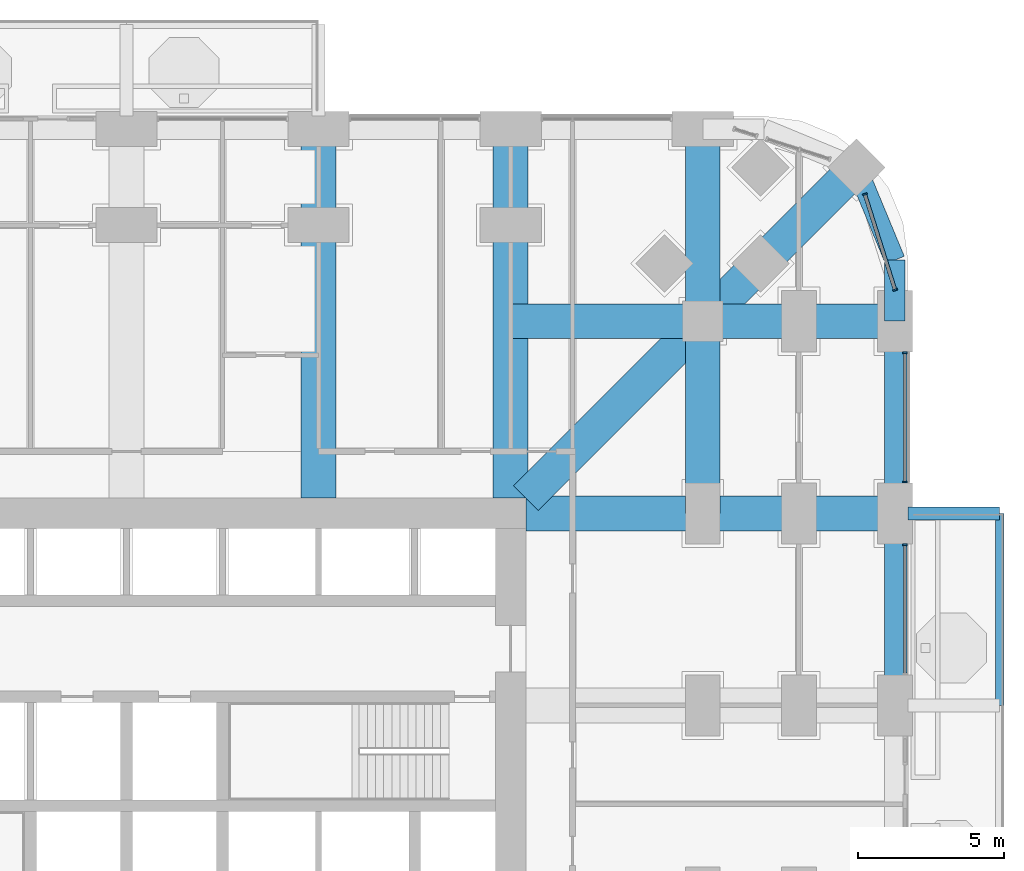
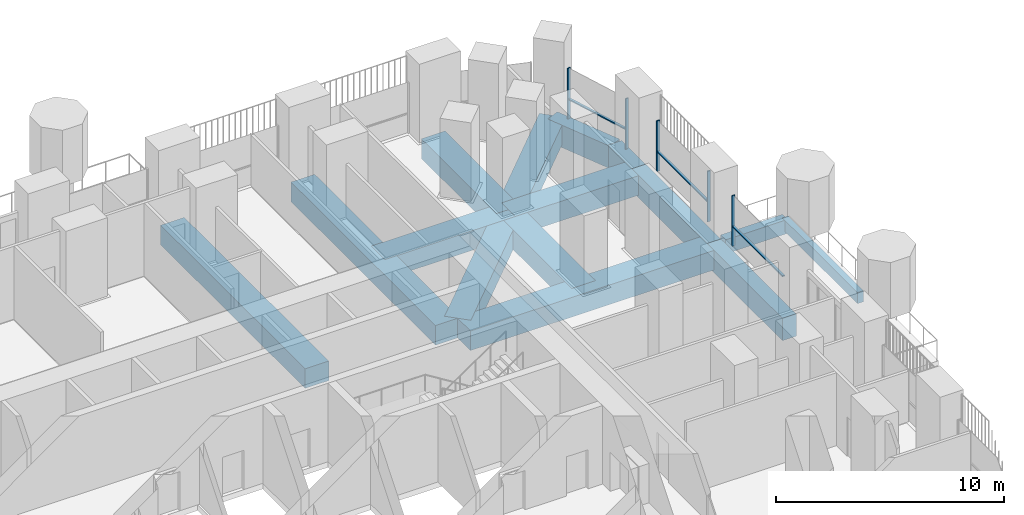
# One storey, part 8 of 26: 15 beams, 8 members, 3 elements without a shape of their own.
"""IFC4 building model written with IfcOpenShell, lengths in metres."""

import ifcopenshell
import ifcopenshell.guid

model = None  # the IFC model being written
_history = None  # IfcOwnerHistory: only IFC2X3 demands one
_inside = {}  # id of a spatial element -> (the spatial element, [elements in it])
_under = {}  # id of a project, library or spatial element -> (it, [spatial elements below it])
_declared = {}  # id of a project -> (the project, [libraries it declares])
_typed = {}  # id of a type object -> (the type object, [elements of that type])
_made_of = {}  # id of a material, layer set ... -> (it, [elements and type objects made of it])


def new_model(schema):
    """Start an empty IFC model of exactly this schema.

    Asked for "IFC4X3", IfcOpenShell would pick the latest addendum, in which some entities
    have other attributes; the version numbers below select the first issue.
    IFC2X3 requires an IfcOwnerHistory on every rooted entity: one is made here for all.
    """
    global model, _history
    if schema == "IFC4X3":
        model = ifcopenshell.file(schema_version=(4, 3, 0, 0))
    else:
        model = ifcopenshell.file(schema=schema)
    _inside.clear()
    _under.clear()
    _declared.clear()
    _typed.clear()
    _made_of.clear()
    _history = None
    if model.schema == "IFC2X3":
        org = make("IfcOrganization", Name="unknown")
        user = make(
            "IfcPersonAndOrganization",
            ThePerson=make("IfcPerson", FamilyName="unknown"),
            TheOrganization=org,
        )
        app = make(
            "IfcApplication",
            ApplicationDeveloper=org,
            Version="unknown",
            ApplicationFullName="unknown",
            ApplicationIdentifier="unknown",
        )
        _history = make(
            "IfcOwnerHistory",
            OwningUser=user,
            OwningApplication=app,
            ChangeAction="ADDED",
            CreationDate=0,
        )
    return model


def make(cls, **values):
    """One entity of the class cls with the attributes given. An attribute that is None is left unset."""
    return model.create_entity(
        cls, **{name: value for name, value in values.items() if value is not None}
    )


def rooted(cls, **values):
    """An entity with a GlobalId (a new one), such as an element, a storey or a relation."""
    return make(cls, GlobalId=ifcopenshell.guid.new(), OwnerHistory=_history, **values)


def si_unit(unit_type, name, prefix=None):
    """IfcSIUnit, for example si_unit("LENGTHUNIT", "METRE", prefix="MILLI")."""
    return make("IfcSIUnit", UnitType=unit_type, Prefix=prefix, Name=name)


def assignment(units):
    """IfcUnitAssignment: the units of a project."""
    return None if units is None else make("IfcUnitAssignment", Units=units)


def point(xyz):
    """IfcCartesianPoint."""
    return None if xyz is None else make("IfcCartesianPoint", Coordinates=xyz)


def direction(xyz):
    """IfcDirection."""
    return None if xyz is None else make("IfcDirection", DirectionRatios=xyz)


def frame(location, z_axis=None, x_axis=None):
    """IfcAxis2Placement3D, a coordinate frame: its origin and axes. An axis left out is left unset."""
    return make(
        "IfcAxis2Placement3D",
        Location=point(location),
        Axis=direction(z_axis),
        RefDirection=direction(x_axis),
    )


def frame_2d(location, x_axis=None):
    """IfcAxis2Placement2D, a coordinate frame in the plane: its origin and x axis."""
    return make(
        "IfcAxis2Placement2D", Location=point(location), RefDirection=direction(x_axis)
    )


def origin():
    """The frame at (0, 0, 0) with its axes left unset."""
    return frame((0.0, 0.0, 0.0))


def origin_2d():
    """The frame at (0, 0) in the plane with its x axis left unset."""
    return frame_2d((0.0, 0.0))


def place(relative_to, where):
    """IfcLocalPlacement: puts the frame where relative to a parent placement (None: the world)."""
    return make(
        "IfcLocalPlacement", PlacementRelTo=relative_to, RelativePlacement=where
    )


def context(
    kind, dimensions, precision=None, world=None, true_north=None, identifier=None
):
    """IfcGeometricRepresentationContext, for example the 3D "Model" context."""
    return make(
        "IfcGeometricRepresentationContext",
        ContextIdentifier=identifier,
        ContextType=kind,
        CoordinateSpaceDimension=dimensions,
        Precision=precision,
        WorldCoordinateSystem=world,
        TrueNorth=true_north,
    )


def subcontext(parent, identifier, kind, view, scale=None):
    """IfcGeometricRepresentationSubContext, for example "Body" below "Model"."""
    return make(
        "IfcGeometricRepresentationSubContext",
        ContextIdentifier=identifier,
        ContextType=kind,
        ParentContext=parent,
        TargetScale=scale,
        TargetView=view,
    )


def project(units=None, contexts=None):
    """IfcProject with its units and contexts."""
    return rooted(
        "IfcProject",
        Name="project",
        RepresentationContexts=contexts,
        UnitsInContext=assignment(units),
    )


def spatial(cls, under=None, at=None, **own):
    """A site, building, storey or space (cls), placed at a placement, below another one or the project."""
    s = rooted(cls, ObjectPlacement=at, **own)
    if under is not None:
        _under.setdefault(under.id(), (under, []))[1].append(s)
    return s


def profile(cls, at=None, kind="AREA", **sizes):
    """A parametric profile (cls). Its sizes go by their IFC names, for example OverallWidth=200.0."""
    return make(cls, ProfileType=kind, Position=at, **sizes)


def rectangle(**sizes):
    """IfcRectangleProfileDef."""
    return profile("IfcRectangleProfileDef", **sizes)


def extrude(swept, where, along, depth):
    """IfcExtrudedAreaSolid: the profile swept, set in the frame where, extruded along a direction by depth."""
    return make(
        "IfcExtrudedAreaSolid",
        SweptArea=swept,
        Position=where,
        ExtrudedDirection=direction(along),
        Depth=depth,
    )


def shape(context_of_items, identifier, shape_type, items):
    """IfcShapeRepresentation: the items that make up one representation, for example the "Body"."""
    return make(
        "IfcShapeRepresentation",
        ContextOfItems=context_of_items,
        RepresentationIdentifier=identifier,
        RepresentationType=shape_type,
        Items=items,
    )


def material(Name=None, Category=None):
    """IfcMaterial."""
    return make("IfcMaterial", Name=Name, Category=Category)


def material_profile(
    of_material, cross_section, Name=None, Category=None, Priority=None
):
    """IfcMaterialProfile: a cross section and its material."""
    return make(
        "IfcMaterialProfile",
        Name=Name,
        Material=of_material,
        Profile=cross_section,
        Priority=Priority,
        Category=Category,
    )


def profile_set(profiles, Name=None, composite=None):
    """IfcMaterialProfileSet."""
    return make(
        "IfcMaterialProfileSet",
        Name=Name,
        MaterialProfiles=profiles,
        CompositeProfile=composite,
    )


def made_of(thing, what):
    """Note that an element or type object is made of a material, layer set ...; save() writes the relation."""
    if what is not None:
        _made_of.setdefault(what.id(), (what, []))[1].append(thing)
    return thing


def type_object(cls, material=None, **own):
    """A type object (cls), such as IfcWallType, which elements share."""
    return made_of(rooted(cls, **own), material)


def element(
    cls,
    number,
    at=None,
    inside=None,
    cuts=None,
    type_object=None,
    material=None,
    context=None,
    identifier="Body",
    shape_type=None,
    held_by="IfcProductDefinitionShape",
    body=None,
    shapes=None,
    **own,
):
    """One element of the class cls, such as IfcWall. Its Tag is "e" and its number.

    at: its placement. inside: the storey or other place that contains it. cuts: it is an
    opening in that element (IfcRelVoidsElement). A single representation is given by context,
    identifier, shape_type and body (its items); several are given by shapes. held_by: the class
    of the entity that holds the representations. save() writes the other relations.
    """
    e = rooted(cls, Tag="e%d" % number, ObjectPlacement=at, **own)
    if body is not None:
        shapes = [shape(context, identifier, shape_type, body)]
    if shapes is not None:
        e.Representation = make(held_by, Representations=shapes)
    if inside is not None:
        _inside.setdefault(inside.id(), (inside, []))[1].append(e)
    if cuts is not None:
        rooted(
            "IfcRelVoidsElement", RelatingBuildingElement=cuts, RelatedOpeningElement=e
        )
    if type_object is not None:
        _typed.setdefault(type_object.id(), (type_object, []))[1].append(e)
    return made_of(e, material)


def aggregate(whole, parts):
    """IfcRelAggregates: a whole, such as a stair, and the parts it consists of."""
    return rooted("IfcRelAggregates", RelatingObject=whole, RelatedObjects=parts)


def save(model, path):
    """Write the relations noted so far, then the file.

    IfcRelAggregates (storeys below a building ...), IfcRelContainedInSpatialStructure (elements
    in a storey), IfcRelDefinesByType, IfcRelAssociatesMaterial and IfcRelDeclares: one each for
    every whole, place, type object, material and project.
    """
    for whole, parts in _under.values():
        aggregate(whole, parts)
    for where, things in _inside.values():
        rooted(
            "IfcRelContainedInSpatialStructure",
            RelatedElements=things,
            RelatingStructure=where,
        )
    for kind, things in _typed.values():
        rooted("IfcRelDefinesByType", RelatedObjects=things, RelatingType=kind)
    for what, things in _made_of.values():
        rooted("IfcRelAssociatesMaterial", RelatedObjects=things, RelatingMaterial=what)
    for by, libraries in _declared.values():
        rooted("IfcRelDeclares", RelatingContext=by, RelatedDefinitions=libraries)
    model.write(path)


model = new_model("IFC4")

# Units and contexts
model_context = context("Model", 3, precision=1e-05, world=origin(), true_north=direction((0.0, 1.0)))
body_context = subcontext(model_context, "Body", "Model", "MODEL_VIEW")
ifc_project = project(units=[si_unit("LENGTHUNIT", "METRE"), si_unit("AREAUNIT", "SQUARE_METRE"), si_unit("VOLUMEUNIT", "CUBIC_METRE"), si_unit("PLANEANGLEUNIT", "RADIAN"), si_unit("MASSUNIT", "GRAM", prefix="KILO")], contexts=[model_context])

# Site, building, storey
site_placement = place(None, origin())
site = spatial("IfcSite", under=ifc_project, at=site_placement, CompositionType="ELEMENT")
building_placement = place(site_placement, origin())
building = spatial("IfcBuilding", under=site, at=building_placement, Name="Cobogo Forest Laboratory Tower", CompositionType="ELEMENT")
storey_placement = place(building_placement, frame((0.0, 0.0, 33.89990234375)))
storey = spatial("IfcBuildingStorey", under=building, at=storey_placement, Name="L07", CompositionType="ELEMENT", Elevation=33.89990234375)

# Beams
ifc_material_1 = material(Name="Concrete HA-40 (C40/50)", Category="concrete")
ifc_material_profile_1 = material_profile(ifc_material_1, rectangle(XDim=0.449951171875, YDim=0.75, at=origin_2d()), Name="RC 450x750")
ifc_profile_set_1 = profile_set([ifc_material_profile_1], Name="Concrete HA-40 (C40/50)")
beam_type_1 = type_object("IfcBeamType", Name="Balcony cantilever beam 450x750", PredefinedType="BEAM", material=ifc_profile_set_1)
beam_1_placement = place(storey_placement, frame((53.25, 33.0, -0.625), z_axis=(1.0, 0.0, 0.0), x_axis=(0.0, 1.0, 0.0)))
element("IfcBeam", 1, at=beam_1_placement, inside=storey, type_object=beam_type_1, Name="CB1 BAL-E1-C3 L07", PredefinedType="BEAM", context=body_context, shape_type="SweptSolid", body=[
    extrude(rectangle(XDim=0.449951171875, YDim=0.75, at=origin_2d()), origin(), (0.0, 0.0, 1.0), 3.14990234375),
])
ifc_material_profile_2 = material_profile(ifc_material_1, rectangle(XDim=0.300048828125, YDim=0.60009765625, at=origin_2d()), Name="RC 300x600")
ifc_profile_set_2 = profile_set([ifc_material_profile_2], Name="Concrete HA-40 (C40/50)")
beam_type_2 = type_object("IfcBeamType", Name="Balcony edge beam 300x600", PredefinedType="BEAM", material=ifc_profile_set_2)
beam_2_placement = place(storey_placement, frame((56.39990234375, 26.39990234375, -0.5498046875), z_axis=(0.0, 1.0, 0.0), x_axis=(-1.0, 0.0, 0.0)))
element("IfcBeam", 2, at=beam_2_placement, inside=storey, type_object=beam_type_2, Name="BB1 BAL-E1-T2 L07", PredefinedType="BEAM", context=body_context, shape_type="SweptSolid", body=[
    extrude(rectangle(XDim=0.300048828125, YDim=0.60009765625, at=origin_2d()), origin(), (0.0, 0.0, 1.0), 6.60009765625),
])
ifc_material_profile_3 = material_profile(ifc_material_1, rectangle(XDim=1.199951171875, YDim=1.050048828125, at=origin_2d()), Name="RC 1200x1050")
ifc_profile_set_3 = profile_set([ifc_material_profile_3], Name="Concrete HA-40 (C40/50)")
beam_type_3 = type_object("IfcBeamType", Name="Laboratory floor wide beam 1200x1050", PredefinedType="BEAM", material=ifc_profile_set_3)
for number, where, z_axis, x_axis, name in (
    (3, (33.0, 33.52490234375, -0.824951171875), (0.0, 1.0, 0.0), (-1.0, 0.0, 0.0), "RB1 R-6-N L07"),
    (4, (39.60009765625, 33.52490234375, -0.824951171875), (0.0, 1.0, 0.0), (-1.0, 0.0, 0.0), "RB1 R-7-N L07"),
    (5, (40.125, 33.0, -0.824951171875), (1.0, 0.0, 0.0), (0.0, 1.0, 0.0), "RB1 R-F-E L07"),
):
    element("IfcBeam", number, at=place(storey_placement, frame(where, z_axis=z_axis, x_axis=x_axis)), inside=storey, type_object=beam_type_3, Name=name, PredefinedType="BEAM", context=body_context, shape_type="SweptSolid", body=[
        extrude(rectangle(XDim=1.199951171875, YDim=1.050048828125, at=origin_2d()), origin(), (0.0, 0.0, 1.0), 12.675048828125),
    ])
beam_3_placement = place(storey_placement, frame((46.199951171875, 46.199951171875, -0.824951171875), z_axis=(0.0, -1.0, 0.0), x_axis=(1.0, 0.0, 0.0)))
element("IfcBeam", 6, at=beam_3_placement, inside=storey, type_object=beam_type_3, Name="RB1 G-NE-XF L07", PredefinedType="BEAM", context=body_context, shape_type="SweptSolid", body=[
    extrude(rectangle(XDim=1.199951171875, YDim=1.050048828125, at=origin_2d()), origin(), (0.0, 0.0, 1.0), 6.599853515625),
])
for number, where, z_axis, x_axis, name in (
    (7, (46.199951171875, 39.60009765625, -0.824951171875), (0.0, -1.0, 0.0), (1.0, 0.0, 0.0), "RB1 G-NE-XC L07"),
    (8, (52.800048828125, 39.60009765625, -0.824951171875), (-1.0, 0.0, 0.0), (0.0, -1.0, 0.0), "RB1 G-NE-YF L07"),
):
    element("IfcBeam", number, at=place(storey_placement, frame(where, z_axis=z_axis, x_axis=x_axis)), inside=storey, type_object=beam_type_3, Name=name, PredefinedType="BEAM", context=body_context, shape_type="SweptSolid", body=[
        extrude(rectangle(XDim=1.199951171875, YDim=1.050048828125, at=origin_2d()), origin(), (0.0, 0.0, 1.0), 6.60009765625),
    ])
beam_4_placement = place(storey_placement, frame((46.199951171875, 39.60009765625, -0.824951171875), z_axis=(-1.0, 0.0, 0.0), x_axis=(0.0, -1.0, 0.0)))
element("IfcBeam", 9, at=beam_4_placement, inside=storey, type_object=beam_type_3, Name="RB1 G-NE-YC L07", PredefinedType="BEAM", context=body_context, shape_type="SweptSolid", body=[
    extrude(rectangle(XDim=1.199951171875, YDim=1.050048828125, at=origin_2d()), origin(), (0.0, 0.0, 1.0), 6.599853515625),
])
beam_5_placement = place(storey_placement, frame((51.48193359375, 44.882080078125, -0.824951171875), z_axis=(-0.707106781187, -0.707106781187, 0.0), x_axis=(0.707106781187, -0.707106781187, 0.0)))
element("IfcBeam", 10, at=beam_5_placement, inside=storey, type_object=beam_type_3, Name="RB1 G-NE-D1 L07", PredefinedType="BEAM", context=body_context, shape_type="SweptSolid", body=[
    extrude(rectangle(XDim=1.199951171875, YDim=1.050048828125, at=origin_2d()), origin(), (0.0, 0.0, 1.0), 7.469970703125),
])
beam_6_placement = place(storey_placement, frame((46.199951171875, 39.60009765625, -0.824951171875), z_axis=(-0.707092572697, -0.70712098939, 0.0), x_axis=(0.70712098939, -0.707092572697, 0.0)))
element("IfcBeam", 11, at=beam_6_placement, inside=storey, type_object=beam_type_3, Name="RB1 G-NE-D2 L07", PredefinedType="BEAM", context=body_context, shape_type="SweptSolid", body=[
    extrude(rectangle(XDim=1.199951171875, YDim=1.050048828125, at=origin_2d()), origin(), (0.0, 0.0, 1.0), 8.591552734375),
])

# Curtain wall, member
ifc_material_2 = material(Name="Aluminium curtain wall", Category="aluminium")
curtain_wall_type = type_object("IfcCurtainWallType", Name="CW-1 unitised curtain wall, clear glazing, laboratory floors zones A and B", PredefinedType="USERDEFINED", material=ifc_material_2)
curtain_wall_1_placement = place(storey_placement, origin())
curtain_wall_1 = element("IfcCurtainWall", 12, at=curtain_wall_1_placement, inside=storey, type_object=curtain_wall_type, Name="Curtain wall 13 L07", ObjectType="UNITISED CURTAIN WALL", PredefinedType="USERDEFINED")
ifc_material_3 = material(Name="Aluminium mullion", Category="aluminium")
ifc_material_profile_4 = material_profile(ifc_material_3, rectangle(XDim=0.06005859375, YDim=0.159912109375, at=origin_2d()), Name="AL 60x160")
ifc_profile_set_4 = profile_set([ifc_material_profile_4], Name="Aluminium mullion")
member_type_1 = type_object("IfcMemberType", Name="MU-1 aluminium mullion 60x160", PredefinedType="MULLION", material=ifc_profile_set_4)
member_1_placement = place(storey_placement, frame((53.14990234375, 31.919921875, 0.0), z_axis=(0.0, 0.0, 1.0), x_axis=(0.0, 1.0, 0.0)))
member_1 = element("IfcMember", 13, at=member_1_placement, type_object=member_type_1, Name="CW-1 mullion 2", PredefinedType="MULLION", context=body_context, shape_type="SweptSolid", body=[
    extrude(rectangle(XDim=0.06005859375, YDim=0.159912109375, at=origin_2d()), origin(), (0.0, 0.0, 1.0), 2.7001953125),
])

# Curtain wall, members
curtain_wall_2_placement = place(storey_placement, origin())
curtain_wall_2 = element("IfcCurtainWall", 14, at=curtain_wall_2_placement, inside=storey, type_object=curtain_wall_type, Name="Curtain wall 14 L07", ObjectType="UNITISED CURTAIN WALL", PredefinedType="USERDEFINED")
member_2_placement = place(storey_placement, frame((53.14990234375, 34.080078125, 0.0), z_axis=(0.0, 0.0, 1.0), x_axis=(0.0, 1.0, 0.0)))
member_2 = element("IfcMember", 15, at=member_2_placement, type_object=member_type_1, Name="CW-1 mullion 1", PredefinedType="MULLION", context=body_context, shape_type="SweptSolid", body=[
    extrude(rectangle(XDim=0.06005859375, YDim=0.159912109375, at=origin_2d()), origin(), (0.0, 0.0, 1.0), 2.7001953125),
])
member_3_placement = place(storey_placement, frame((53.14990234375, 38.52001953125, 0.0), z_axis=(0.0, 0.0, 1.0), x_axis=(0.0, 1.0, 0.0)))
member_3 = element("IfcMember", 16, at=member_3_placement, type_object=member_type_1, Name="CW-1 mullion 2", PredefinedType="MULLION", context=body_context, shape_type="SweptSolid", body=[
    extrude(rectangle(XDim=0.06005859375, YDim=0.159912109375, at=origin_2d()), origin(), (0.0, 0.0, 1.0), 2.7001953125),
])

curtain_wall_3_placement = place(storey_placement, origin())
curtain_wall_3 = element("IfcCurtainWall", 17, at=curtain_wall_3_placement, inside=storey, type_object=curtain_wall_type, Name="Curtain wall 15 L07", ObjectType="UNITISED CURTAIN WALL", PredefinedType="USERDEFINED")
member_4_placement = place(storey_placement, frame((52.809326171875, 40.6787109375, 0.0), z_axis=(0.0, 0.0, 1.0), x_axis=(-0.30113535792, 0.95358140513, 0.0)))
member_4 = element("IfcMember", 18, at=member_4_placement, type_object=member_type_1, Name="CW-1 mullion 1", PredefinedType="MULLION", context=body_context, shape_type="SweptSolid", body=[
    extrude(rectangle(XDim=0.06005859375, YDim=0.159912109375, at=origin_2d()), origin(), (0.0, 0.0, 1.0), 2.7001953125),
])
member_5_placement = place(storey_placement, frame((51.772705078125, 43.961181640625, 0.0), z_axis=(0.0, 0.0, 1.0), x_axis=(-0.30113535792, 0.95358140513, 0.0)))
member_5 = element("IfcMember", 19, at=member_5_placement, type_object=member_type_1, Name="CW-1 mullion 2", PredefinedType="MULLION", context=body_context, shape_type="SweptSolid", body=[
    extrude(rectangle(XDim=0.06005859375, YDim=0.159912109375, at=origin_2d()), origin(), (0.0, 0.0, 1.0), 2.7001953125),
])

# Beams
ifc_material_profile_5 = material_profile(ifc_material_1, rectangle(XDim=0.699951171875, YDim=1.199951171875, at=origin_2d()), Name="RC 700x1200")
ifc_profile_set_5 = profile_set([ifc_material_profile_5], Name="Concrete HA-40 (C40/50)")
beam_type_4 = type_object("IfcBeamType", Name="Perimeter edge beam 700x1200", PredefinedType="BEAM", material=ifc_profile_set_5)
for number, where, z_axis, x_axis, name in (
    (20, (52.800048828125, 26.39990234375, -0.89990234375), (0.0, 1.0, 0.0), (-1.0, 0.0, 0.0), "EB1 E-E4 L07"),
    (21, (52.800048828125, 33.0, -0.89990234375), (0.0, 1.0, 0.0), (-1.0, 0.0, 0.0), "EB1 E-E5 L07"),
):
    element("IfcBeam", number, at=place(storey_placement, frame(where, z_axis=z_axis, x_axis=x_axis)), inside=storey, type_object=beam_type_4, Name=name, PredefinedType="BEAM", context=body_context, shape_type="SweptSolid", body=[
        extrude(rectangle(XDim=0.699951171875, YDim=1.199951171875, at=origin_2d()), origin(), (0.0, 0.0, 1.0), 6.60009765625),
    ])
beam_7_placement = place(storey_placement, frame((52.800048828125, 39.60009765625, -0.89990234375), z_axis=(0.0, 1.0, 0.0), x_axis=(-1.0, 0.0, 0.0)))
element("IfcBeam", 22, at=beam_7_placement, inside=storey, type_object=beam_type_4, Name="EB1 E-NEE1 L07", PredefinedType="BEAM", context=body_context, shape_type="SweptSolid", body=[
    extrude(rectangle(XDim=0.699951171875, YDim=1.199951171875, at=origin_2d()), origin(), (0.0, 0.0, 1.0), 2.099853515625),
])
beam_8_placement = place(storey_placement, frame((52.800048828125, 41.699951171875, -0.89990234375), z_axis=(-0.382691928466, 0.923876013265, 0.0), x_axis=(-0.923876013265, -0.382691928466, 0.0)))
element("IfcBeam", 23, at=beam_8_placement, inside=storey, type_object=beam_type_4, Name="EB1 E-NEE2 L07", PredefinedType="BEAM", context=body_context, shape_type="SweptSolid", body=[
    extrude(rectangle(XDim=0.699951171875, YDim=1.199951171875, at=origin_2d()), origin(), (0.0, 0.0, 1.0), 3.4443359375),
])

# Member
ifc_material_4 = material(Name="Aluminium transom", Category="aluminium")
ifc_material_profile_6 = material_profile(ifc_material_4, rectangle(XDim=0.1201171875, YDim=0.06005859375, at=origin_2d()), Name="AL 60x120")
ifc_profile_set_6 = profile_set([ifc_material_profile_6], Name="Aluminium transom")
member_type_2 = type_object("IfcMemberType", Name="TR-1 aluminium transom 60x120", PredefinedType="USERDEFINED", material=ifc_profile_set_6)
member_6_placement = place(storey_placement, frame((53.14990234375, 27.510009765625, 1.050048828125), z_axis=(0.0, 1.0, 0.0), x_axis=(-1.0, 0.0, 0.0)))
member_6 = element("IfcMember", 24, at=member_6_placement, type_object=member_type_2, Name="CW-1 transom 1.1", ObjectType="TRANSOM", PredefinedType="USERDEFINED", context=body_context, shape_type="SweptSolid", body=[
    extrude(rectangle(XDim=0.1201171875, YDim=0.06005859375, at=origin_2d()), origin(), (0.0, 0.0, 1.0), 4.3798828125),
])

aggregate(curtain_wall_1, [member_1, member_6])

member_7_placement = place(storey_placement, frame((53.14990234375, 34.110107421875, 1.050048828125), z_axis=(0.0, 1.0, 0.0), x_axis=(-1.0, 0.0, 0.0)))
member_7 = element("IfcMember", 25, at=member_7_placement, type_object=member_type_2, Name="CW-1 transom 1.1", ObjectType="TRANSOM", PredefinedType="USERDEFINED", context=body_context, shape_type="SweptSolid", body=[
    extrude(rectangle(XDim=0.1201171875, YDim=0.06005859375, at=origin_2d()), origin(), (0.0, 0.0, 1.0), 4.3798828125),
])

aggregate(curtain_wall_2, [member_2, member_3, member_7])

member_8_placement = place(storey_placement, frame((52.80029296875, 40.707275390625, 1.050048828125), z_axis=(-0.301138276922, 0.953580483322, 0.0), x_axis=(-0.953580483322, -0.301138276922, 0.0)))
member_8 = element("IfcMember", 26, at=member_8_placement, type_object=member_type_2, Name="CW-1 transom 1.1", ObjectType="TRANSOM", PredefinedType="USERDEFINED", context=body_context, shape_type="SweptSolid", body=[
    extrude(rectangle(XDim=0.1201171875, YDim=0.06005859375, at=origin_2d()), origin(), (0.0, 0.0, 1.0), 3.38232421875),
])

aggregate(curtain_wall_3, [member_4, member_5, member_8])

save(model, "model.ifc")
